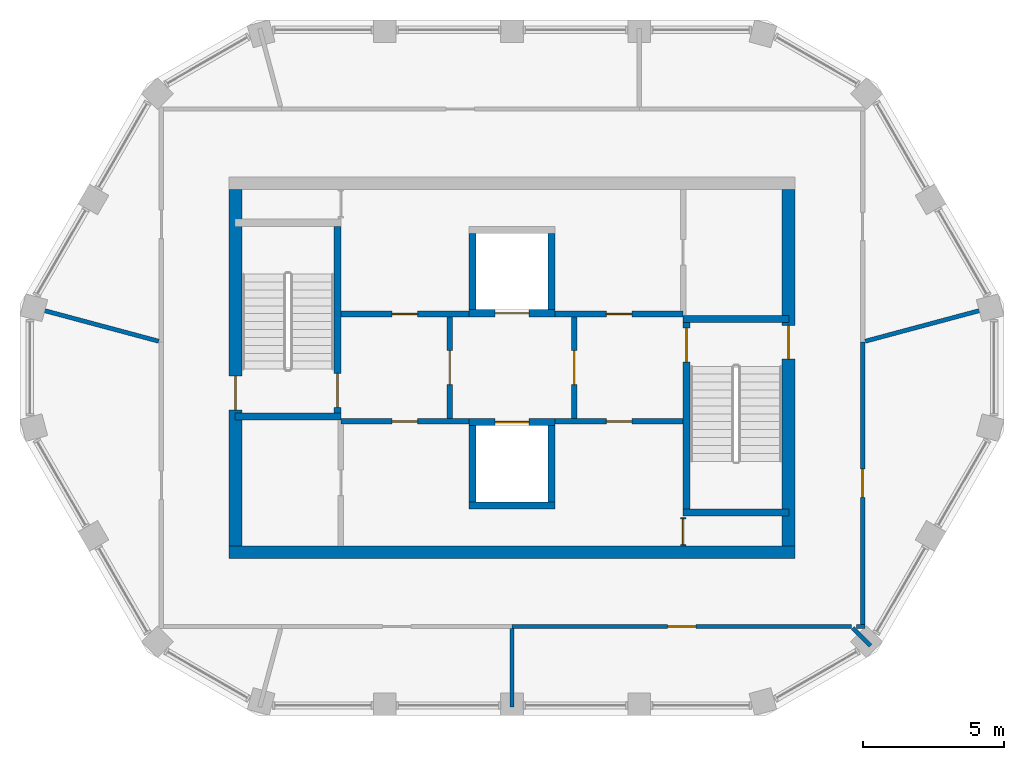
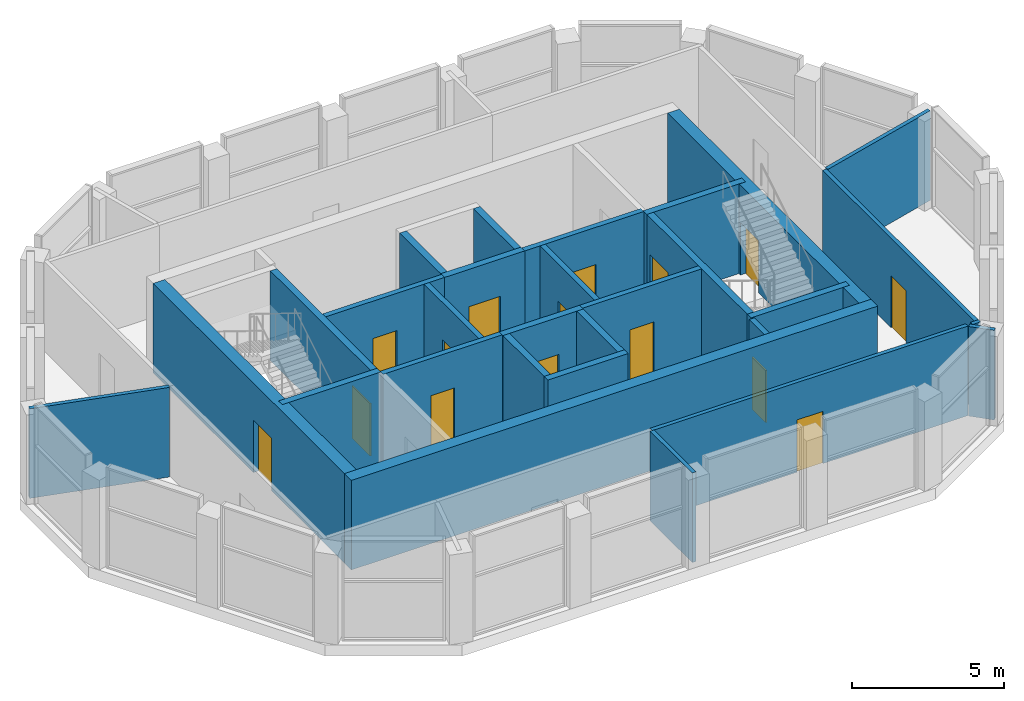
# One storey, part 4 of 6: 29 walls, 15 doors, 15 openings.
"""IFC4 building model written with IfcOpenShell, lengths in metres."""

from ifc_helpers import new_model, si_unit, direction, frame, frame_2d, origin, place, context, subcontext, project, spatial, polyline, rectangle, outline, extrude, material, layer, layer_set, type_object, element, fill, save


model = new_model("IFC4")

# Units and contexts
model_context = context("Model", 3, precision=1e-05, world=origin(), true_north=direction((0.0, 1.0)))
body_context = subcontext(model_context, "Body", "Model", "MODEL_VIEW")
ifc_project = project(units=[si_unit("LENGTHUNIT", "METRE"), si_unit("AREAUNIT", "SQUARE_METRE"), si_unit("VOLUMEUNIT", "CUBIC_METRE"), si_unit("PLANEANGLEUNIT", "RADIAN"), si_unit("MASSUNIT", "GRAM", prefix="KILO")], contexts=[model_context])

# Site, building, storey
site_placement = place(None, origin())
site = spatial("IfcSite", under=ifc_project, at=site_placement, CompositionType="ELEMENT")
building_placement = place(site_placement, origin())
building = spatial("IfcBuilding", under=site, at=building_placement, Name="Dhurran Vertical Campus", CompositionType="ELEMENT")
storey_placement = place(building_placement, frame((0.0, 0.0, 327.89990234375)))
storey = spatial("IfcBuildingStorey", under=building, at=storey_placement, Name="L80 Plant", CompositionType="ELEMENT", Elevation=327.89990234375)

# Wall
ifc_material_1 = material(Name="Concrete C50/60", Category="concrete")
ifc_layer_1 = layer(ifc_material_1, 0.449951171875)
ifc_layer_set_1 = layer_set([ifc_layer_1], Name="Concrete C50/60")
wall_type_1 = type_object("IfcWallType", Name="co-CORE-WALL-C4-450", PredefinedType="SHEAR", material=ifc_layer_set_1)
wall_1_placement = place(storey_placement, frame((-10.0, -6.52490234375, 0.0), z_axis=(0.0, 0.0, 1.0), x_axis=(1.0, 0.0, 0.0)))
element("IfcWall", 1, at=wall_1_placement, inside=storey, type_object=wall_type_1, Name="Core wall S L80", PredefinedType="SHEAR", context=body_context, shape_type="SweptSolid", body=[
    extrude(rectangle(XDim=20.0, YDim=0.449951171875, at=frame_2d((10.0, 0.0))), origin(), (0.0, 0.0, 1.0), 3.60009765625),
])

# Wall, opening, door
wall_2_placement = place(storey_placement, frame((-9.77490234375, -6.300048828125, 0.0), z_axis=(0.0, 0.0, 1.0), x_axis=(0.0, 1.0, 0.0)))
wall_2 = element("IfcWall", 2, at=wall_2_placement, inside=storey, type_object=wall_type_1, Name="Core wall W L80", PredefinedType="SHEAR", context=body_context, shape_type="SweptSolid", body=[
    extrude(rectangle(XDim=12.60009765625, YDim=0.449951171875, at=frame_2d((6.300048828125, 0.0))), origin(), (0.0, 0.0, 1.0), 3.60009765625),
])
opening_1_placement = place(wall_2_placement, frame((4.800048828125, 0.0, 0.0)))
opening_1 = element("IfcOpeningElement", 3, at=opening_1_placement, cuts=wall_2, Name="Opening XD5", PredefinedType="OPENING", context=body_context, shape_type="SweptSolid", body=[
    extrude(rectangle(XDim=1.199951171875, YDim=2.10009765625, at=frame_2d((0.60009765625, 1.050048828125))), frame((0.0, 0.23486328125, 0.0), z_axis=(0.0, -1.0, 0.0), x_axis=(1.0, 0.0, 0.0)), (0.0, 0.0, 1.0), 0.469970703125),
])
ifc_material_2 = material(Name="Fire-rated steel door set", Category="steel")
door_type_1 = type_object("IfcDoorType", Name="co-D-STAIR-EXIT 1200x2100", OperationType="SINGLE_SWING_RIGHT", PredefinedType="DOOR", material=ifc_material_2)
door_1_placement = place(opening_1_placement, origin())
door_1 = element("IfcDoor", 4, at=door_1_placement, inside=storey, type_object=door_type_1, Name="Stair ST5 exit door L80", OperationType="SINGLE_SWING_RIGHT", OverallHeight=2.10009765625, OverallWidth=1.199951171875, PredefinedType="DOOR", context=body_context, shape_type="SweptSolid", body=[
    extrude(rectangle(XDim=1.199951171875, YDim=2.10009765625, at=frame_2d((0.60009765625, 1.050048828125))), frame((0.0, 0.02490234375, 0.0), z_axis=(0.0, -1.0, 0.0), x_axis=(1.0, 0.0, 0.0)), (0.0, 0.0, 1.0), 0.050048828125),
])
fill(opening_1, door_1)

wall_3_placement = place(storey_placement, frame((9.77490234375, -6.300048828125, 0.0), z_axis=(0.0, 0.0, 1.0), x_axis=(0.0, 1.0, 0.0)))
wall_3 = element("IfcWall", 5, at=wall_3_placement, inside=storey, type_object=wall_type_1, Name="Core wall E L80", PredefinedType="SHEAR", context=body_context, shape_type="SweptSolid", body=[
    extrude(rectangle(XDim=12.60009765625, YDim=0.449951171875, at=frame_2d((6.300048828125, 0.0))), origin(), (0.0, 0.0, 1.0), 3.60009765625),
])
opening_2_placement = place(wall_3_placement, frame((6.60009765625, 0.0, 0.0)))
opening_2 = element("IfcOpeningElement", 6, at=opening_2_placement, cuts=wall_3, Name="Opening XD6", PredefinedType="OPENING", context=body_context, shape_type="SweptSolid", body=[
    extrude(rectangle(XDim=1.199951171875, YDim=2.10009765625, at=frame_2d((0.60009765625, 1.050048828125))), frame((0.0, 0.23486328125, 0.0), z_axis=(0.0, -1.0, 0.0), x_axis=(1.0, 0.0, 0.0)), (0.0, 0.0, 1.0), 0.469970703125),
])
door_2_placement = place(opening_2_placement, origin())
door_2 = element("IfcDoor", 7, at=door_2_placement, inside=storey, type_object=door_type_1, Name="Stair ST6 exit door L80", OperationType="SINGLE_SWING_RIGHT", OverallHeight=2.10009765625, OverallWidth=1.199951171875, PredefinedType="DOOR", context=body_context, shape_type="SweptSolid", body=[
    extrude(rectangle(XDim=1.199951171875, YDim=2.10009765625, at=frame_2d((0.60009765625, 1.050048828125))), frame((0.0, 0.02490234375, 0.0), z_axis=(0.0, -1.0, 0.0), x_axis=(1.0, 0.0, 0.0)), (0.0, 0.0, 1.0), 0.050048828125),
])
fill(opening_2, door_2)

ifc_material_3 = material(Name="Fire-rated masonry blockwork", Category="masonry")
ifc_layer_2 = layer(ifc_material_3, 0.199951171875)
ifc_layer_set_2 = layer_set([ifc_layer_2], Name="Fire-rated masonry blockwork")
wall_type_2 = type_object("IfcWallType", Name="co-FIRE-PARTITION-200", PredefinedType="PARTITIONING", material=ifc_layer_set_2)
wall_4_placement = place(storey_placement, frame((-2.199951171875, -1.800048828125, 0.0), z_axis=(0.0, 0.0, 1.0), x_axis=(0.0, 1.0, 0.0)))
wall_4 = element("IfcWall", 8, at=wall_4_placement, inside=storey, type_object=wall_type_2, Name="Firefighting lobby wall W L80", PredefinedType="PARTITIONING", context=body_context, shape_type="SweptSolid", body=[
    extrude(rectangle(XDim=3.60009765625, YDim=0.199951171875, at=frame_2d((1.800048828125, 0.0))), origin(), (0.0, 0.0, 1.0), 3.60009765625),
])
opening_3_placement = place(wall_4_placement, frame((1.199951171875, 0.0, 0.0)))
opening_3 = element("IfcOpeningElement", 9, at=opening_3_placement, cuts=wall_4, Name="Opening FL1", PredefinedType="OPENING", context=body_context, shape_type="SweptSolid", body=[
    extrude(rectangle(XDim=1.199951171875, YDim=2.10009765625, at=frame_2d((0.60009765625, 1.050048828125))), frame((0.0, 0.10986328125, 0.0), z_axis=(0.0, -1.0, 0.0), x_axis=(1.0, 0.0, 0.0)), (0.0, 0.0, 1.0), 0.219970703125),
])
ifc_material_4 = material(Name="Fire-rated steel door set", Category="steel")
door_type_2 = type_object("IfcDoorType", Name="co-D-FFLOBBY 1200x2100", OperationType="SINGLE_SWING_LEFT", PredefinedType="DOOR", material=ifc_material_4)
door_3_placement = place(opening_3_placement, origin())
door_3 = element("IfcDoor", 10, at=door_3_placement, inside=storey, type_object=door_type_2, Name="Firefighting lobby door W L80", OperationType="SINGLE_SWING_LEFT", OverallHeight=2.10009765625, OverallWidth=1.199951171875, PredefinedType="DOOR", context=body_context, shape_type="SweptSolid", body=[
    extrude(rectangle(XDim=1.199951171875, YDim=2.10009765625, at=frame_2d((0.60009765625, 1.050048828125))), frame((0.0, 0.02490234375, 0.0), z_axis=(0.0, -1.0, 0.0), x_axis=(1.0, 0.0, 0.0)), (0.0, 0.0, 1.0), 0.050048828125),
])
fill(opening_3, door_3)

wall_5_placement = place(storey_placement, frame((2.199951171875, -1.800048828125, 0.0), z_axis=(0.0, 0.0, 1.0), x_axis=(0.0, 1.0, 0.0)))
wall_5 = element("IfcWall", 11, at=wall_5_placement, inside=storey, type_object=wall_type_2, Name="Firefighting lobby wall E L80", PredefinedType="PARTITIONING", context=body_context, shape_type="SweptSolid", body=[
    extrude(rectangle(XDim=3.60009765625, YDim=0.199951171875, at=frame_2d((1.800048828125, 0.0))), origin(), (0.0, 0.0, 1.0), 3.60009765625),
])
opening_4_placement = place(wall_5_placement, frame((1.199951171875, 0.0, 0.0)))
opening_4 = element("IfcOpeningElement", 12, at=opening_4_placement, cuts=wall_5, Name="Opening FL2", PredefinedType="OPENING", context=body_context, shape_type="SweptSolid", body=[
    extrude(rectangle(XDim=1.199951171875, YDim=2.10009765625, at=frame_2d((0.60009765625, 1.050048828125))), frame((0.0, 0.10986328125, 0.0), z_axis=(0.0, -1.0, 0.0), x_axis=(1.0, 0.0, 0.0)), (0.0, 0.0, 1.0), 0.219970703125),
])
door_4_placement = place(opening_4_placement, origin())
door_4 = element("IfcDoor", 13, at=door_4_placement, inside=storey, type_object=door_type_2, Name="Firefighting lobby door E L80", OperationType="SINGLE_SWING_LEFT", OverallHeight=2.10009765625, OverallWidth=1.199951171875, PredefinedType="DOOR", context=body_context, shape_type="SweptSolid", body=[
    extrude(rectangle(XDim=1.199951171875, YDim=2.10009765625, at=frame_2d((0.60009765625, 1.050048828125))), frame((0.0, 0.02490234375, 0.0), z_axis=(0.0, -1.0, 0.0), x_axis=(1.0, 0.0, 0.0)), (0.0, 0.0, 1.0), 0.050048828125),
])
fill(opening_4, door_4)

wall_6_placement = place(storey_placement, frame((-6.050048828125, 1.89990234375, 0.0), z_axis=(0.0, 0.0, 1.0), x_axis=(1.0, 0.0, 0.0)))
wall_6 = element("IfcWall", 14, at=wall_6_placement, inside=storey, type_object=wall_type_2, Name="Core partition nwa-f L80", PredefinedType="PARTITIONING", context=body_context, shape_type="SweptSolid", body=[
    extrude(rectangle(XDim=4.525146484375, YDim=0.199951171875, at=frame_2d((2.2626953125, 0.0))), origin(), (0.0, 0.0, 1.0), 3.60009765625),
])
opening_5_placement = place(wall_6_placement, frame((1.8125, 0.0, 0.0)))
opening_5 = element("IfcOpeningElement", 15, at=opening_5_placement, cuts=wall_6, Name="Opening CR80-C1", PredefinedType="OPENING", context=body_context, shape_type="SweptSolid", body=[
    extrude(rectangle(XDim=0.89990234375, YDim=2.10009765625, at=frame_2d((0.449951171875, 1.050048828125))), frame((0.0, 0.10986328125, 0.0), z_axis=(0.0, -1.0, 0.0), x_axis=(1.0, 0.0, 0.0)), (0.0, 0.0, 1.0), 0.219970703125),
])
ifc_material_5 = material(Name="Fire-rated timber door set", Category="wood")
door_type_3 = type_object("IfcDoorType", Name="co-D-ROOM 900x2100", OperationType="SINGLE_SWING_LEFT", PredefinedType="DOOR", material=ifc_material_5)
door_5_placement = place(opening_5_placement, origin())
door_5 = element("IfcDoor", 16, at=door_5_placement, inside=storey, type_object=door_type_3, Name="nwa door L80", OperationType="SINGLE_SWING_LEFT", OverallHeight=2.10009765625, OverallWidth=0.89990234375, PredefinedType="DOOR", context=body_context, shape_type="SweptSolid", body=[
    extrude(rectangle(XDim=0.89990234375, YDim=2.10009765625, at=frame_2d((0.449951171875, 1.050048828125))), frame((0.0, 0.02490234375, 0.0), z_axis=(0.0, -1.0, 0.0), x_axis=(1.0, 0.0, 0.0)), (0.0, 0.0, 1.0), 0.050048828125),
])
fill(opening_5, door_5)

wall_7_placement = place(storey_placement, frame((-6.050048828125, -1.89990234375, 0.0), z_axis=(0.0, 0.0, 1.0), x_axis=(1.0, 0.0, 0.0)))
wall_7 = element("IfcWall", 17, at=wall_7_placement, inside=storey, type_object=wall_type_2, Name="Core partition swa-f L80", PredefinedType="PARTITIONING", context=body_context, shape_type="SweptSolid", body=[
    extrude(rectangle(XDim=4.525146484375, YDim=0.199951171875, at=frame_2d((2.2626953125, 0.0))), origin(), (0.0, 0.0, 1.0), 3.60009765625),
])
opening_6_placement = place(wall_7_placement, frame((1.8125, 0.0, 0.0)))
opening_6 = element("IfcOpeningElement", 18, at=opening_6_placement, cuts=wall_7, Name="Opening CR80-C2", PredefinedType="OPENING", context=body_context, shape_type="SweptSolid", body=[
    extrude(rectangle(XDim=0.89990234375, YDim=2.10009765625, at=frame_2d((0.449951171875, 1.050048828125))), frame((0.0, 0.10986328125, 0.0), z_axis=(0.0, -1.0, 0.0), x_axis=(1.0, 0.0, 0.0)), (0.0, 0.0, 1.0), 0.219970703125),
])
door_6_placement = place(opening_6_placement, origin())
door_6 = element("IfcDoor", 19, at=door_6_placement, inside=storey, type_object=door_type_3, Name="swa door L80", OperationType="SINGLE_SWING_LEFT", OverallHeight=2.10009765625, OverallWidth=0.89990234375, PredefinedType="DOOR", context=body_context, shape_type="SweptSolid", body=[
    extrude(rectangle(XDim=0.89990234375, YDim=2.10009765625, at=frame_2d((0.449951171875, 1.050048828125))), frame((0.0, 0.02490234375, 0.0), z_axis=(0.0, -1.0, 0.0), x_axis=(1.0, 0.0, 0.0)), (0.0, 0.0, 1.0), 0.050048828125),
])
fill(opening_6, door_6)

wall_8_placement = place(storey_placement, frame((1.52490234375, 1.89990234375, 0.0), z_axis=(0.0, 0.0, 1.0), x_axis=(1.0, 0.0, 0.0)))
wall_8 = element("IfcWall", 20, at=wall_8_placement, inside=storey, type_object=wall_type_2, Name="Core partition nea-f L80", PredefinedType="PARTITIONING", context=body_context, shape_type="SweptSolid", body=[
    extrude(rectangle(XDim=4.525146484375, YDim=0.199951171875, at=frame_2d((2.2626953125, 0.0))), origin(), (0.0, 0.0, 1.0), 3.60009765625),
])
opening_7_placement = place(wall_8_placement, frame((1.8125, 0.0, 0.0)))
opening_7 = element("IfcOpeningElement", 21, at=opening_7_placement, cuts=wall_8, Name="Opening CR80-C3", PredefinedType="OPENING", context=body_context, shape_type="SweptSolid", body=[
    extrude(rectangle(XDim=0.89990234375, YDim=2.10009765625, at=frame_2d((0.449951171875, 1.050048828125))), frame((0.0, 0.10986328125, 0.0), z_axis=(0.0, -1.0, 0.0), x_axis=(1.0, 0.0, 0.0)), (0.0, 0.0, 1.0), 0.219970703125),
])
door_7_placement = place(opening_7_placement, origin())
door_7 = element("IfcDoor", 22, at=door_7_placement, inside=storey, type_object=door_type_3, Name="nea door L80", OperationType="SINGLE_SWING_LEFT", OverallHeight=2.10009765625, OverallWidth=0.89990234375, PredefinedType="DOOR", context=body_context, shape_type="SweptSolid", body=[
    extrude(rectangle(XDim=0.89990234375, YDim=2.10009765625, at=frame_2d((0.449951171875, 1.050048828125))), frame((0.0, 0.02490234375, 0.0), z_axis=(0.0, -1.0, 0.0), x_axis=(1.0, 0.0, 0.0)), (0.0, 0.0, 1.0), 0.050048828125),
])
fill(opening_7, door_7)

wall_9_placement = place(storey_placement, frame((1.52490234375, -1.89990234375, 0.0), z_axis=(0.0, 0.0, 1.0), x_axis=(1.0, 0.0, 0.0)))
wall_9 = element("IfcWall", 23, at=wall_9_placement, inside=storey, type_object=wall_type_2, Name="Core partition sea-f L80", PredefinedType="PARTITIONING", context=body_context, shape_type="SweptSolid", body=[
    extrude(rectangle(XDim=4.525146484375, YDim=0.199951171875, at=frame_2d((2.2626953125, 0.0))), origin(), (0.0, 0.0, 1.0), 3.60009765625),
])
opening_8_placement = place(wall_9_placement, frame((1.8125, 0.0, 0.0)))
opening_8 = element("IfcOpeningElement", 24, at=opening_8_placement, cuts=wall_9, Name="Opening CR80-C4", PredefinedType="OPENING", context=body_context, shape_type="SweptSolid", body=[
    extrude(rectangle(XDim=0.89990234375, YDim=2.10009765625, at=frame_2d((0.449951171875, 1.050048828125))), frame((0.0, 0.10986328125, 0.0), z_axis=(0.0, -1.0, 0.0), x_axis=(1.0, 0.0, 0.0)), (0.0, 0.0, 1.0), 0.219970703125),
])
door_8_placement = place(opening_8_placement, origin())
door_8 = element("IfcDoor", 25, at=door_8_placement, inside=storey, type_object=door_type_3, Name="sea door L80", OperationType="SINGLE_SWING_LEFT", OverallHeight=2.10009765625, OverallWidth=0.89990234375, PredefinedType="DOOR", context=body_context, shape_type="SweptSolid", body=[
    extrude(rectangle(XDim=0.89990234375, YDim=2.10009765625, at=frame_2d((0.449951171875, 1.050048828125))), frame((0.0, 0.02490234375, 0.0), z_axis=(0.0, -1.0, 0.0), x_axis=(1.0, 0.0, 0.0)), (0.0, 0.0, 1.0), 0.050048828125),
])
fill(opening_8, door_8)

wall_10_placement = place(storey_placement, frame((6.050048828125, -6.300048828125, 0.0), z_axis=(0.0, 0.0, 1.0), x_axis=(0.0, 1.0, 0.0)))
wall_10 = element("IfcWall", 26, at=wall_10_placement, inside=storey, type_object=wall_type_2, Name="Core partition bes-d L80", PredefinedType="PARTITIONING", context=body_context, shape_type="SweptSolid", body=[
    extrude(rectangle(XDim=1.0, YDim=0.199951171875, at=frame_2d((0.5, 0.0))), origin(), (0.0, 0.0, 1.0), 3.60009765625),
])
opening_9_placement = place(wall_10_placement, frame((0.050048828125, 0.0, 0.0)))
opening_9 = element("IfcOpeningElement", 27, at=opening_9_placement, cuts=wall_10, Name="Opening CR80-C8", PredefinedType="OPENING", context=body_context, shape_type="SweptSolid", body=[
    extrude(rectangle(XDim=0.89990234375, YDim=2.10009765625, at=frame_2d((0.449951171875, 1.050048828125))), frame((0.0, 0.10986328125, 0.0), z_axis=(0.0, -1.0, 0.0), x_axis=(1.0, 0.0, 0.0)), (0.0, 0.0, 1.0), 0.219970703125),
])
door_9_placement = place(opening_9_placement, origin())
door_9 = element("IfcDoor", 28, at=door_9_placement, inside=storey, type_object=door_type_3, Name="Plant room door L80", OperationType="SINGLE_SWING_LEFT", OverallHeight=2.10009765625, OverallWidth=0.89990234375, PredefinedType="DOOR", context=body_context, shape_type="SweptSolid", body=[
    extrude(rectangle(XDim=0.89990234375, YDim=2.10009765625, at=frame_2d((0.449951171875, 1.050048828125))), frame((0.0, 0.02490234375, 0.0), z_axis=(0.0, -1.0, 0.0), x_axis=(1.0, 0.0, 0.0)), (0.0, 0.0, 1.0), 0.050048828125),
])
fill(opening_9, door_9)

ifc_material_6 = material(Name="Concrete C50/60", Category="concrete")
ifc_layer_3 = layer(ifc_material_6, 0.25)
ifc_layer_set_3 = layer_set([ifc_layer_3], Name="Concrete C50/60")
wall_type_3 = type_object("IfcWallType", Name="co-SHAFT-FRONT-250", PredefinedType="SHEAR", material=ifc_layer_set_3)
wall_11_placement = place(storey_placement, frame((-1.52490234375, 1.925048828125, 0.0), z_axis=(0.0, 0.0, 1.0), x_axis=(1.0, 0.0, 0.0)))
wall_11 = element("IfcWall", 29, at=wall_11_placement, inside=storey, type_object=wall_type_3, Name="Lift landing wall N L80", PredefinedType="SHEAR", context=body_context, shape_type="SweptSolid", body=[
    extrude(rectangle(XDim=3.0498046875, YDim=0.25, at=frame_2d((1.52490234375, 0.0))), origin(), (0.0, 0.0, 1.0), 3.60009765625),
])
opening_10_placement = place(wall_11_placement, frame((0.925048828125, 0.0, 0.0)))
opening_10 = element("IfcOpeningElement", 30, at=opening_10_placement, cuts=wall_11, Name="Opening LD", PredefinedType="OPENING", context=body_context, shape_type="SweptSolid", body=[
    extrude(rectangle(XDim=1.199951171875, YDim=2.10009765625, at=frame_2d((0.60009765625, 1.050048828125))), frame((0.0, 0.135009765625, 0.0), z_axis=(0.0, -1.0, 0.0), x_axis=(1.0, 0.0, 0.0)), (0.0, 0.0, 1.0), 0.27001953125),
])
ifc_material_7 = material(Name="Stainless steel landing door", Category="steel")
door_type_4 = type_object("IfcDoorType", Name="co-D-LANDING 1200x2100", OperationType="DOUBLE_DOOR_SLIDING", PredefinedType="DOOR", material=ifc_material_7)
door_10_placement = place(opening_10_placement, origin())
door_10 = element("IfcDoor", 31, at=door_10_placement, inside=storey, type_object=door_type_4, Name="Landing door FF1 L80", OperationType="DOUBLE_DOOR_SLIDING", OverallHeight=2.10009765625, OverallWidth=1.199951171875, PredefinedType="DOOR", context=body_context, shape_type="SweptSolid", body=[
    extrude(rectangle(XDim=1.199951171875, YDim=2.10009765625, at=frame_2d((0.60009765625, 1.050048828125))), frame((0.0, 0.02490234375, 0.0), z_axis=(0.0, -1.0, 0.0), x_axis=(1.0, 0.0, 0.0)), (0.0, 0.0, 1.0), 0.050048828125),
])
fill(opening_10, door_10)

wall_12_placement = place(storey_placement, frame((-1.52490234375, -1.925048828125, 0.0), z_axis=(0.0, 0.0, 1.0), x_axis=(1.0, 0.0, 0.0)))
wall_12 = element("IfcWall", 32, at=wall_12_placement, inside=storey, type_object=wall_type_3, Name="Lift landing wall S L80", PredefinedType="SHEAR", context=body_context, shape_type="SweptSolid", body=[
    extrude(rectangle(XDim=3.0498046875, YDim=0.25, at=frame_2d((1.52490234375, 0.0))), origin(), (0.0, 0.0, 1.0), 3.60009765625),
])
opening_11_placement = place(wall_12_placement, frame((0.925048828125, 0.0, 0.0)))
opening_11 = element("IfcOpeningElement", 33, at=opening_11_placement, cuts=wall_12, Name="Opening LD", PredefinedType="OPENING", context=body_context, shape_type="SweptSolid", body=[
    extrude(rectangle(XDim=1.199951171875, YDim=2.10009765625, at=frame_2d((0.60009765625, 1.050048828125))), frame((0.0, 0.135009765625, 0.0), z_axis=(0.0, -1.0, 0.0), x_axis=(1.0, 0.0, 0.0)), (0.0, 0.0, 1.0), 0.27001953125),
])
door_11_placement = place(opening_11_placement, origin())
door_11 = element("IfcDoor", 34, at=door_11_placement, inside=storey, type_object=door_type_4, Name="Landing door FF2 L80", OperationType="DOUBLE_DOOR_SLIDING", OverallHeight=2.10009765625, OverallWidth=1.199951171875, PredefinedType="DOOR", context=body_context, shape_type="SweptSolid", body=[
    extrude(rectangle(XDim=1.199951171875, YDim=2.10009765625, at=frame_2d((0.60009765625, 1.050048828125))), frame((0.0, 0.02490234375, 0.0), z_axis=(0.0, -1.0, 0.0), x_axis=(1.0, 0.0, 0.0)), (0.0, 0.0, 1.0), 0.050048828125),
])
fill(opening_11, door_11)

# Walls
ifc_material_8 = material(Name="Concrete C50/60", Category="concrete")
ifc_layer_4 = layer(ifc_material_8, 0.25)
ifc_layer_set_4 = layer_set([ifc_layer_4], Name="Concrete C50/60")
wall_type_4 = type_object("IfcWallType", Name="co-SHAFT-MASS-250", PredefinedType="SHEAR", material=ifc_layer_set_4)
wall_13_placement = place(storey_placement, origin())
element("IfcWall", 35, at=wall_13_placement, inside=storey, type_object=wall_type_4, Name="Lift shaft wall N L80 2", PredefinedType="SHEAR", context=body_context, shape_type="SweptSolid", body=[
    extrude(outline(polyline([(-1.52490234375, 2.050048828125), (-1.27490234375, 2.050048828125), (-1.27490234375, 4.75), (-1.52490234375, 4.75), (-1.52490234375, 2.050048828125)])), origin(), (0.0, 0.0, 1.0), 3.60009765625),
])
wall_14_placement = place(storey_placement, origin())
element("IfcWall", 36, at=wall_14_placement, inside=storey, type_object=wall_type_4, Name="Lift shaft wall N L80 3", PredefinedType="SHEAR", context=body_context, shape_type="SweptSolid", body=[
    extrude(outline(polyline([(1.27490234375, 2.050048828125), (1.52490234375, 2.050048828125), (1.52490234375, 4.75), (1.27490234375, 4.75), (1.27490234375, 2.050048828125)])), origin(), (0.0, 0.0, 1.0), 3.60009765625),
])
wall_15_placement = place(storey_placement, origin())
element("IfcWall", 37, at=wall_15_placement, inside=storey, type_object=wall_type_4, Name="Lift shaft wall S L80 1", PredefinedType="SHEAR", context=body_context, shape_type="SweptSolid", body=[
    extrude(outline(polyline([(-1.52490234375, -5.0), (1.52490234375, -5.0), (1.52490234375, -4.75), (-1.52490234375, -4.75), (-1.52490234375, -5.0)])), origin(), (0.0, 0.0, 1.0), 3.60009765625),
])
wall_16_placement = place(storey_placement, origin())
element("IfcWall", 38, at=wall_16_placement, inside=storey, type_object=wall_type_4, Name="Lift shaft wall S L80 2", PredefinedType="SHEAR", context=body_context, shape_type="SweptSolid", body=[
    extrude(outline(polyline([(-1.52490234375, -4.75), (-1.27490234375, -4.75), (-1.27490234375, -2.050048828125), (-1.52490234375, -2.050048828125), (-1.52490234375, -4.75)])), origin(), (0.0, 0.0, 1.0), 3.60009765625),
])
wall_17_placement = place(storey_placement, origin())
element("IfcWall", 39, at=wall_17_placement, inside=storey, type_object=wall_type_4, Name="Lift shaft wall S L80 3", PredefinedType="SHEAR", context=body_context, shape_type="SweptSolid", body=[
    extrude(outline(polyline([(1.27490234375, -4.75), (1.52490234375, -4.75), (1.52490234375, -2.050048828125), (1.27490234375, -2.050048828125), (1.27490234375, -4.75)])), origin(), (0.0, 0.0, 1.0), 3.60009765625),
])
ifc_material_9 = material(Name="Concrete C40/50", Category="concrete")
ifc_layer_5 = layer(ifc_material_9, 0.25)
ifc_layer_set_5 = layer_set([ifc_layer_5], Name="Concrete C40/50")
wall_type_5 = type_object("IfcWallType", Name="co-STAIR-WALL-250", PredefinedType="SHEAR", material=ifc_layer_set_5)
wall_18_placement = place(storey_placement, frame((-9.800048828125, -1.72509765625, 0.0), z_axis=(0.0, 0.0, 1.0), x_axis=(1.0, 0.0, 0.0)))
element("IfcWall", 40, at=wall_18_placement, inside=storey, type_object=wall_type_5, Name="Stair ST5 enclosure wall L80", PredefinedType="SHEAR", context=body_context, shape_type="SweptSolid", body=[
    extrude(rectangle(XDim=3.75, YDim=0.25, at=frame_2d((1.875, 0.0))), origin(), (0.0, 0.0, 1.0), 3.60009765625),
])

# Wall, opening, door
wall_19_placement = place(storey_placement, frame((-6.175048828125, -1.60009765625, 0.0), z_axis=(0.0, 0.0, 1.0), x_axis=(0.0, 1.0, 0.0)))
wall_19 = element("IfcWall", 41, at=wall_19_placement, inside=storey, type_object=wall_type_5, Name="Stair ST5 enclosure wall L80", PredefinedType="SHEAR", context=body_context, shape_type="SweptSolid", body=[
    extrude(rectangle(XDim=6.60009765625, YDim=0.25, at=frame_2d((3.300048828125, 0.0))), origin(), (0.0, 0.0, 1.0), 3.60009765625),
])
opening_12_placement = place(wall_19_placement, frame((0.199951171875, 0.0, 0.0)))
opening_12 = element("IfcOpeningElement", 42, at=opening_12_placement, cuts=wall_19, Name="Opening SD5", PredefinedType="OPENING", context=body_context, shape_type="SweptSolid", body=[
    extrude(rectangle(XDim=1.199951171875, YDim=2.10009765625, at=frame_2d((0.60009765625, 1.050048828125))), frame((0.0, 0.135009765625, 0.0), z_axis=(0.0, -1.0, 0.0), x_axis=(1.0, 0.0, 0.0)), (0.0, 0.0, 1.0), 0.27001953125),
])
ifc_material_10 = material(Name="Fire-rated steel door set", Category="steel")
door_type_5 = type_object("IfcDoorType", Name="co-D-STAIR 1200x2100", OperationType="SINGLE_SWING_LEFT", PredefinedType="DOOR", material=ifc_material_10)
door_12_placement = place(opening_12_placement, origin())
door_12 = element("IfcDoor", 43, at=door_12_placement, inside=storey, type_object=door_type_5, Name="Stair ST5 door L80", OperationType="SINGLE_SWING_LEFT", OverallHeight=2.10009765625, OverallWidth=1.199951171875, PredefinedType="DOOR", context=body_context, shape_type="SweptSolid", body=[
    extrude(rectangle(XDim=1.199951171875, YDim=2.10009765625, at=frame_2d((0.60009765625, 1.050048828125))), frame((0.0, 0.02490234375, 0.0), z_axis=(0.0, -1.0, 0.0), x_axis=(1.0, 0.0, 0.0)), (0.0, 0.0, 1.0), 0.050048828125),
])
fill(opening_12, door_12)

# Walls
for number, where, z_axis, x_axis, name in (
    (44, (6.050048828125, -5.125, 0.0), (0.0, 0.0, 1.0), (1.0, 0.0, 0.0), "Stair ST6 enclosure wall L80"),
    (45, (6.050048828125, 1.72509765625, 0.0), (0.0, 0.0, 1.0), (1.0, 0.0, 0.0), "Stair ST6 enclosure wall L80"),
):
    element("IfcWall", number, at=place(storey_placement, frame(where, z_axis=z_axis, x_axis=x_axis)), inside=storey, type_object=wall_type_5, Name=name, PredefinedType="SHEAR", context=body_context, shape_type="SweptSolid", body=[
        extrude(rectangle(XDim=3.75, YDim=0.25, at=frame_2d((1.875, 0.0))), origin(), (0.0, 0.0, 1.0), 3.60009765625),
    ])

# Wall, opening, door
wall_20_placement = place(storey_placement, frame((6.175048828125, -5.0, 0.0), z_axis=(0.0, 0.0, 1.0), x_axis=(0.0, 1.0, 0.0)))
wall_20 = element("IfcWall", 46, at=wall_20_placement, inside=storey, type_object=wall_type_5, Name="Stair ST6 enclosure wall L80", PredefinedType="SHEAR", context=body_context, shape_type="SweptSolid", body=[
    extrude(rectangle(XDim=6.60009765625, YDim=0.25, at=frame_2d((3.300048828125, 0.0))), origin(), (0.0, 0.0, 1.0), 3.60009765625),
])
opening_13_placement = place(wall_20_placement, frame((5.199951171875, 0.0, 0.0)))
opening_13 = element("IfcOpeningElement", 47, at=opening_13_placement, cuts=wall_20, Name="Opening SD6", PredefinedType="OPENING", context=body_context, shape_type="SweptSolid", body=[
    extrude(rectangle(XDim=1.199951171875, YDim=2.10009765625, at=frame_2d((0.60009765625, 1.050048828125))), frame((0.0, 0.135009765625, 0.0), z_axis=(0.0, -1.0, 0.0), x_axis=(1.0, 0.0, 0.0)), (0.0, 0.0, 1.0), 0.27001953125),
])
door_13_placement = place(opening_13_placement, origin())
door_13 = element("IfcDoor", 48, at=door_13_placement, inside=storey, type_object=door_type_5, Name="Stair ST6 door L80", OperationType="SINGLE_SWING_LEFT", OverallHeight=2.10009765625, OverallWidth=1.199951171875, PredefinedType="DOOR", context=body_context, shape_type="SweptSolid", body=[
    extrude(rectangle(XDim=1.199951171875, YDim=2.10009765625, at=frame_2d((0.60009765625, 1.050048828125))), frame((0.0, 0.02490234375, 0.0), z_axis=(0.0, -1.0, 0.0), x_axis=(1.0, 0.0, 0.0)), (0.0, 0.0, 1.0), 0.050048828125),
])
fill(opening_13, door_13)

ifc_material_11 = material(Name="Gypsum board corridor wall on steel studs", Category="steel")
ifc_layer_6 = layer(ifc_material_11, 0.14990234375)
ifc_layer_set_6 = layer_set([ifc_layer_6], Name="Gypsum board corridor wall on steel studs")
wall_type_6 = type_object("IfcWallType", Name="fl-CW-150 corridor wall", PredefinedType="PARTITIONING", material=ifc_layer_set_6)
wall_21_placement = place(storey_placement, frame((0.0, -9.14990234375, 0.0), z_axis=(0.0, 0.0, 1.0), x_axis=(1.0, 0.0, 0.0)))
wall_21 = element("IfcWall", 49, at=wall_21_placement, inside=storey, type_object=wall_type_6, Name="Partition 80-11", PredefinedType="PARTITIONING", context=body_context, shape_type="SweptSolid", body=[
    extrude(rectangle(XDim=12.0029296875, YDim=0.14990234375, at=frame_2d((6.00146484375, 0.0))), origin(), (0.0, 0.0, 1.0), 3.60009765625),
])
opening_14_placement = place(wall_21_placement, frame((5.50146484375, 0.0, 0.0)))
opening_14 = element("IfcOpeningElement", 50, at=opening_14_placement, cuts=wall_21, Name="Opening CR80.05", PredefinedType="OPENING", context=body_context, shape_type="SweptSolid", body=[
    extrude(rectangle(XDim=1.0, YDim=2.10009765625, at=frame_2d((0.5, 1.050048828125))), frame((0.0, 0.0849609375, 0.0), z_axis=(0.0, -1.0, 0.0), x_axis=(1.0, 0.0, 0.0)), (0.0, 0.0, 1.0), 0.169921875),
])
ifc_material_12 = material(Name="Solid-core timber door set, fire-rated", Category="wood")
door_type_6 = type_object("IfcDoorType", Name="fl-D-1000x2100", OperationType="SINGLE_SWING_LEFT", PredefinedType="DOOR", material=ifc_material_12)
door_14_placement = place(opening_14_placement, origin())
door_14 = element("IfcDoor", 51, at=door_14_placement, inside=storey, type_object=door_type_6, Name="Door 80.05", OperationType="SINGLE_SWING_RIGHT", OverallHeight=2.10009765625, OverallWidth=1.0, PredefinedType="DOOR", context=body_context, shape_type="SweptSolid", body=[
    extrude(rectangle(XDim=1.0, YDim=2.10009765625, at=frame_2d((0.5, 1.050048828125))), frame((0.0, 0.02490234375, 0.0), z_axis=(0.0, -1.0, 0.0), x_axis=(1.0, 0.0, 0.0)), (0.0, 0.0, 1.0), 0.050048828125),
])
fill(opening_14, door_14)

# Wall
wall_22_placement = place(storey_placement, frame((12.177978515625, -9.14990234375, 0.0), z_axis=(0.0, 0.0, 1.0), x_axis=(1.0, 0.0, 0.0)))
element("IfcWall", 52, at=wall_22_placement, inside=storey, type_object=wall_type_6, Name="Partition 80-14", PredefinedType="PARTITIONING", context=body_context, shape_type="SweptSolid", body=[
    extrude(rectangle(XDim=0.297119140625, YDim=0.14990234375, at=frame_2d((0.1484375, 0.0))), origin(), (0.0, 0.0, 1.0), 3.60009765625),
])

# Wall, opening, door
wall_23_placement = place(storey_placement, frame((12.39990234375, -9.074951171875, 0.0), z_axis=(0.0, 0.0, 1.0), x_axis=(0.0, 1.0, 0.0)))
wall_23 = element("IfcWall", 53, at=wall_23_placement, inside=storey, type_object=wall_type_6, Name="Partition 80-16", PredefinedType="PARTITIONING", context=body_context, shape_type="SweptSolid", body=[
    extrude(rectangle(XDim=9.98583984375, YDim=0.14990234375, at=frame_2d((4.992919921875, 0.0))), origin(), (0.0, 0.0, 1.0), 3.60009765625),
])
opening_15_placement = place(wall_23_placement, frame((4.492919921875, 0.0, 0.0)))
opening_15 = element("IfcOpeningElement", 54, at=opening_15_placement, cuts=wall_23, Name="Opening CR80.07", PredefinedType="OPENING", context=body_context, shape_type="SweptSolid", body=[
    extrude(rectangle(XDim=1.0, YDim=2.10009765625, at=frame_2d((0.5, 1.050048828125))), frame((0.0, 0.0849609375, 0.0), z_axis=(0.0, -1.0, 0.0), x_axis=(1.0, 0.0, 0.0)), (0.0, 0.0, 1.0), 0.169921875),
])
door_15_placement = place(opening_15_placement, origin())
door_15 = element("IfcDoor", 55, at=door_15_placement, inside=storey, type_object=door_type_6, Name="Door 80.07", OperationType="SINGLE_SWING_RIGHT", OverallHeight=2.10009765625, OverallWidth=1.0, PredefinedType="DOOR", context=body_context, shape_type="SweptSolid", body=[
    extrude(rectangle(XDim=1.0, YDim=2.10009765625, at=frame_2d((0.5, 1.050048828125))), frame((0.0, 0.02490234375, 0.0), z_axis=(0.0, -1.0, 0.0), x_axis=(1.0, 0.0, 0.0)), (0.0, 0.0, 1.0), 0.050048828125),
])
fill(opening_15, door_15)

# Walls
ifc_material_13 = material(Name="Gypsum board partition on steel studs", Category="steel")
ifc_layer_7 = layer(ifc_material_13, 0.14990234375)
ifc_layer_set_7 = layer_set([ifc_layer_7], Name="Gypsum board partition on steel studs")
wall_type_7 = type_object("IfcWallType", Name="fl-PW-150 fixed partition", PredefinedType="PARTITIONING", material=ifc_layer_set_7)
wall_24_placement = place(storey_placement, frame((-17.096923828125, 2.169921875, 0.0), z_axis=(0.0, 0.0, 1.0), x_axis=(0.965904388236, -0.258899039756, 0.0)))
element("IfcWall", 56, at=wall_24_placement, inside=storey, type_object=wall_type_7, Name="Partition 80-01", PredefinedType="PARTITIONING", context=body_context, shape_type="SweptSolid", body=[
    extrude(rectangle(XDim=4.767822265625, YDim=0.14990234375, at=frame_2d((2.3837890625, 0.0))), origin(), (0.0, 0.0, 1.0), 3.60009765625),
])
wall_25_placement = place(storey_placement, frame((0.0, -9.22509765625, 0.0), z_axis=(0.0, 0.0, 1.0), x_axis=(0.0, -1.0, 0.0)))
element("IfcWall", 57, at=wall_25_placement, inside=storey, type_object=wall_type_7, Name="Partition 80-10", PredefinedType="PARTITIONING", context=body_context, shape_type="SweptSolid", body=[
    extrude(rectangle(XDim=2.768798828125, YDim=0.14990234375, at=frame_2d((1.38427734375, 0.0))), origin(), (0.0, 0.0, 1.0), 3.60009765625),
])
wall_26_placement = place(storey_placement, frame((12.055908203125, -9.203125, 0.0), z_axis=(0.0, 0.0, 1.0), x_axis=(0.706689978005, -0.707523338828, 0.0)))
element("IfcWall", 58, at=wall_26_placement, inside=storey, type_object=wall_type_7, Name="Partition 80-15", PredefinedType="PARTITIONING", context=body_context, shape_type="SweptSolid", body=[
    extrude(rectangle(XDim=0.87890625, YDim=0.14990234375, at=frame_2d((0.439453125, 0.0))), origin(), (0.0, 0.0, 1.0), 3.60009765625),
])
wall_27_placement = place(storey_placement, frame((17.096923828125, 2.169921875, 0.0), z_axis=(0.0, 0.0, 1.0), x_axis=(-0.965904388236, -0.258899039756, 0.0)))
element("IfcWall", 59, at=wall_27_placement, inside=storey, type_object=wall_type_7, Name="Partition 80-18", PredefinedType="PARTITIONING", context=body_context, shape_type="SweptSolid", body=[
    extrude(rectangle(XDim=4.767822265625, YDim=0.14990234375, at=frame_2d((2.3837890625, 0.0))), origin(), (0.0, 0.0, 1.0), 3.60009765625),
])

save(model, "model.ifc")
